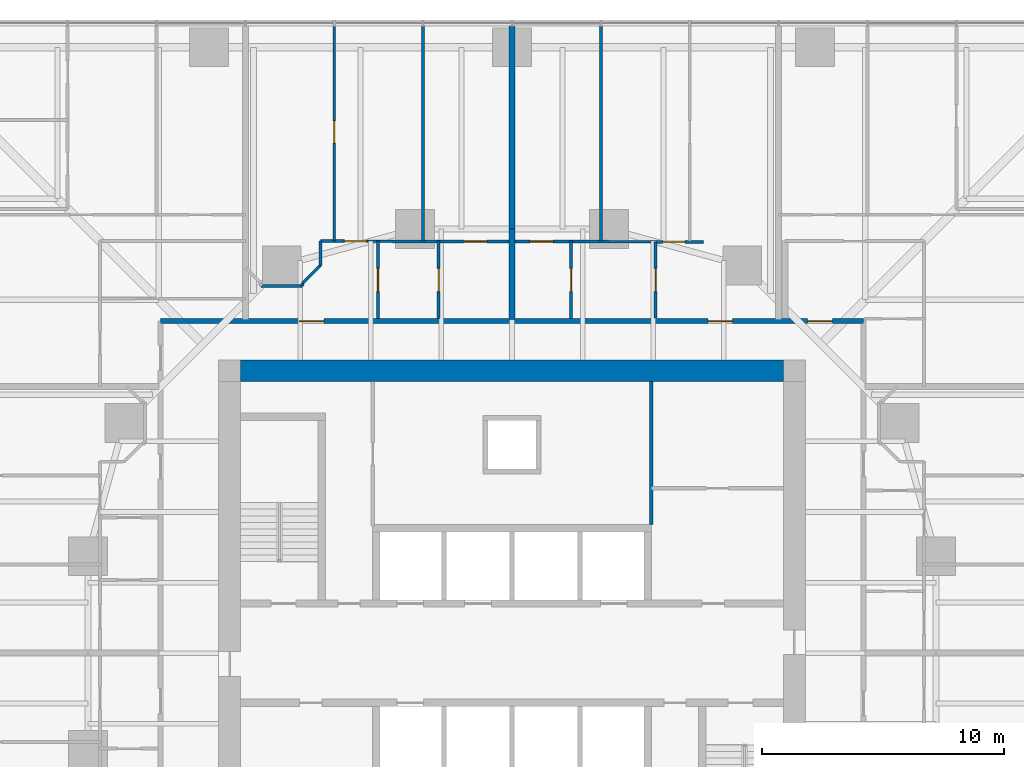
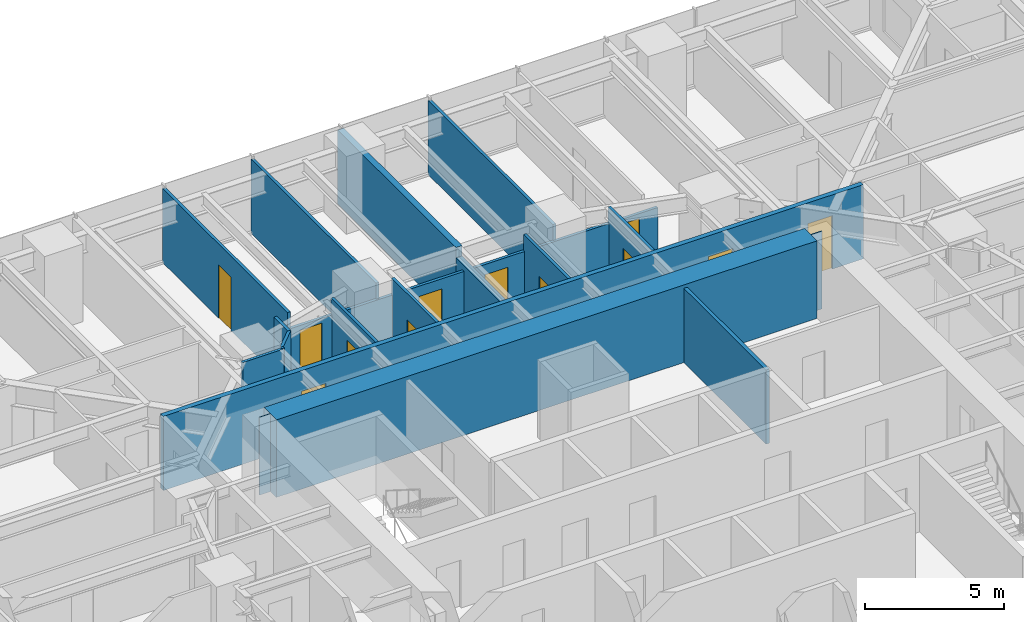
# One storey, part 13 of 17: 17 walls, 12 doors, 12 openings.
"""IFC4 building model written with IfcOpenShell, lengths in metres."""

import ifcopenshell
import ifcopenshell.guid

model = None  # the IFC model being written
_history = None  # IfcOwnerHistory: only IFC2X3 demands one
_inside = {}  # id of a spatial element -> (the spatial element, [elements in it])
_under = {}  # id of a project, library or spatial element -> (it, [spatial elements below it])
_declared = {}  # id of a project -> (the project, [libraries it declares])
_typed = {}  # id of a type object -> (the type object, [elements of that type])
_made_of = {}  # id of a material, layer set ... -> (it, [elements and type objects made of it])


def new_model(schema):
    """Start an empty IFC model of exactly this schema.

    Asked for "IFC4X3", IfcOpenShell would pick the latest addendum, in which some entities
    have other attributes; the version numbers below select the first issue.
    IFC2X3 requires an IfcOwnerHistory on every rooted entity: one is made here for all.
    """
    global model, _history
    if schema == "IFC4X3":
        model = ifcopenshell.file(schema_version=(4, 3, 0, 0))
    else:
        model = ifcopenshell.file(schema=schema)
    _inside.clear()
    _under.clear()
    _declared.clear()
    _typed.clear()
    _made_of.clear()
    _history = None
    if model.schema == "IFC2X3":
        org = make("IfcOrganization", Name="unknown")
        user = make(
            "IfcPersonAndOrganization",
            ThePerson=make("IfcPerson", FamilyName="unknown"),
            TheOrganization=org,
        )
        app = make(
            "IfcApplication",
            ApplicationDeveloper=org,
            Version="unknown",
            ApplicationFullName="unknown",
            ApplicationIdentifier="unknown",
        )
        _history = make(
            "IfcOwnerHistory",
            OwningUser=user,
            OwningApplication=app,
            ChangeAction="ADDED",
            CreationDate=0,
        )
    return model


def make(cls, **values):
    """One entity of the class cls with the attributes given. An attribute that is None is left unset."""
    return model.create_entity(
        cls, **{name: value for name, value in values.items() if value is not None}
    )


def rooted(cls, **values):
    """An entity with a GlobalId (a new one), such as an element, a storey or a relation."""
    return make(cls, GlobalId=ifcopenshell.guid.new(), OwnerHistory=_history, **values)


def si_unit(unit_type, name, prefix=None):
    """IfcSIUnit, for example si_unit("LENGTHUNIT", "METRE", prefix="MILLI")."""
    return make("IfcSIUnit", UnitType=unit_type, Prefix=prefix, Name=name)


def assignment(units):
    """IfcUnitAssignment: the units of a project."""
    return None if units is None else make("IfcUnitAssignment", Units=units)


def point(xyz):
    """IfcCartesianPoint."""
    return None if xyz is None else make("IfcCartesianPoint", Coordinates=xyz)


def direction(xyz):
    """IfcDirection."""
    return None if xyz is None else make("IfcDirection", DirectionRatios=xyz)


def frame(location, z_axis=None, x_axis=None):
    """IfcAxis2Placement3D, a coordinate frame: its origin and axes. An axis left out is left unset."""
    return make(
        "IfcAxis2Placement3D",
        Location=point(location),
        Axis=direction(z_axis),
        RefDirection=direction(x_axis),
    )


def frame_2d(location, x_axis=None):
    """IfcAxis2Placement2D, a coordinate frame in the plane: its origin and x axis."""
    return make(
        "IfcAxis2Placement2D", Location=point(location), RefDirection=direction(x_axis)
    )


def origin():
    """The frame at (0, 0, 0) with its axes left unset."""
    return frame((0.0, 0.0, 0.0))


def place(relative_to, where):
    """IfcLocalPlacement: puts the frame where relative to a parent placement (None: the world)."""
    return make(
        "IfcLocalPlacement", PlacementRelTo=relative_to, RelativePlacement=where
    )


def context(
    kind, dimensions, precision=None, world=None, true_north=None, identifier=None
):
    """IfcGeometricRepresentationContext, for example the 3D "Model" context."""
    return make(
        "IfcGeometricRepresentationContext",
        ContextIdentifier=identifier,
        ContextType=kind,
        CoordinateSpaceDimension=dimensions,
        Precision=precision,
        WorldCoordinateSystem=world,
        TrueNorth=true_north,
    )


def subcontext(parent, identifier, kind, view, scale=None):
    """IfcGeometricRepresentationSubContext, for example "Body" below "Model"."""
    return make(
        "IfcGeometricRepresentationSubContext",
        ContextIdentifier=identifier,
        ContextType=kind,
        ParentContext=parent,
        TargetScale=scale,
        TargetView=view,
    )


def project(units=None, contexts=None):
    """IfcProject with its units and contexts."""
    return rooted(
        "IfcProject",
        Name="project",
        RepresentationContexts=contexts,
        UnitsInContext=assignment(units),
    )


def spatial(cls, under=None, at=None, **own):
    """A site, building, storey or space (cls), placed at a placement, below another one or the project."""
    s = rooted(cls, ObjectPlacement=at, **own)
    if under is not None:
        _under.setdefault(under.id(), (under, []))[1].append(s)
    return s


def polyline(points):
    """IfcPolyline through the points."""
    return make("IfcPolyline", Points=[point(p) for p in points])


def profile(cls, at=None, kind="AREA", **sizes):
    """A parametric profile (cls). Its sizes go by their IFC names, for example OverallWidth=200.0."""
    return make(cls, ProfileType=kind, Position=at, **sizes)


def rectangle(**sizes):
    """IfcRectangleProfileDef."""
    return profile("IfcRectangleProfileDef", **sizes)


def outline(outer, holes=None, kind="AREA"):
    """IfcArbitraryClosedProfileDef: a profile drawn as a closed curve; with holes, ...WithVoids."""
    if holes is None:
        return make("IfcArbitraryClosedProfileDef", ProfileType=kind, OuterCurve=outer)
    return make(
        "IfcArbitraryProfileDefWithVoids",
        ProfileType=kind,
        OuterCurve=outer,
        InnerCurves=holes,
    )


def extrude(swept, where, along, depth):
    """IfcExtrudedAreaSolid: the profile swept, set in the frame where, extruded along a direction by depth."""
    return make(
        "IfcExtrudedAreaSolid",
        SweptArea=swept,
        Position=where,
        ExtrudedDirection=direction(along),
        Depth=depth,
    )


def shape(context_of_items, identifier, shape_type, items):
    """IfcShapeRepresentation: the items that make up one representation, for example the "Body"."""
    return make(
        "IfcShapeRepresentation",
        ContextOfItems=context_of_items,
        RepresentationIdentifier=identifier,
        RepresentationType=shape_type,
        Items=items,
    )


def material(Name=None, Category=None):
    """IfcMaterial."""
    return make("IfcMaterial", Name=Name, Category=Category)


def layer(
    of_material, thickness, ventilated=None, Name=None, Category=None, Priority=None
):
    """IfcMaterialLayer: one layer of a wall or slab, of a material (None: an air gap)."""
    return make(
        "IfcMaterialLayer",
        Material=of_material,
        LayerThickness=thickness,
        IsVentilated=ventilated,
        Name=Name,
        Category=Category,
        Priority=Priority,
    )


def layer_set(layers, Name=None):
    """IfcMaterialLayerSet."""
    return make("IfcMaterialLayerSet", MaterialLayers=layers, LayerSetName=Name)


def made_of(thing, what):
    """Note that an element or type object is made of a material, layer set ...; save() writes the relation."""
    if what is not None:
        _made_of.setdefault(what.id(), (what, []))[1].append(thing)
    return thing


def type_object(cls, material=None, **own):
    """A type object (cls), such as IfcWallType, which elements share."""
    return made_of(rooted(cls, **own), material)


def element(
    cls,
    number,
    at=None,
    inside=None,
    cuts=None,
    type_object=None,
    material=None,
    context=None,
    identifier="Body",
    shape_type=None,
    held_by="IfcProductDefinitionShape",
    body=None,
    shapes=None,
    **own,
):
    """One element of the class cls, such as IfcWall. Its Tag is "e" and its number.

    at: its placement. inside: the storey or other place that contains it. cuts: it is an
    opening in that element (IfcRelVoidsElement). A single representation is given by context,
    identifier, shape_type and body (its items); several are given by shapes. held_by: the class
    of the entity that holds the representations. save() writes the other relations.
    """
    e = rooted(cls, Tag="e%d" % number, ObjectPlacement=at, **own)
    if body is not None:
        shapes = [shape(context, identifier, shape_type, body)]
    if shapes is not None:
        e.Representation = make(held_by, Representations=shapes)
    if inside is not None:
        _inside.setdefault(inside.id(), (inside, []))[1].append(e)
    if cuts is not None:
        rooted(
            "IfcRelVoidsElement", RelatingBuildingElement=cuts, RelatedOpeningElement=e
        )
    if type_object is not None:
        _typed.setdefault(type_object.id(), (type_object, []))[1].append(e)
    return made_of(e, material)


def fill(opening, filler):
    """IfcRelFillsElement: the door or window that sits in an opening."""
    return rooted(
        "IfcRelFillsElement",
        RelatingOpeningElement=opening,
        RelatedBuildingElement=filler,
    )


def aggregate(whole, parts):
    """IfcRelAggregates: a whole, such as a stair, and the parts it consists of."""
    return rooted("IfcRelAggregates", RelatingObject=whole, RelatedObjects=parts)


def save(model, path):
    """Write the relations noted so far, then the file.

    IfcRelAggregates (storeys below a building ...), IfcRelContainedInSpatialStructure (elements
    in a storey), IfcRelDefinesByType, IfcRelAssociatesMaterial and IfcRelDeclares: one each for
    every whole, place, type object, material and project.
    """
    for whole, parts in _under.values():
        aggregate(whole, parts)
    for where, things in _inside.values():
        rooted(
            "IfcRelContainedInSpatialStructure",
            RelatedElements=things,
            RelatingStructure=where,
        )
    for kind, things in _typed.values():
        rooted("IfcRelDefinesByType", RelatedObjects=things, RelatingType=kind)
    for what, things in _made_of.values():
        rooted("IfcRelAssociatesMaterial", RelatedObjects=things, RelatingMaterial=what)
    for by, libraries in _declared.values():
        rooted("IfcRelDeclares", RelatingContext=by, RelatedDefinitions=libraries)
    model.write(path)


model = new_model("IFC4")

# Units and contexts
model_context = context("Model", 3, precision=1e-05, world=origin(), true_north=direction((0.0, 1.0)))
body_context = subcontext(model_context, "Body", "Model", "MODEL_VIEW")
ifc_project = project(units=[si_unit("LENGTHUNIT", "METRE"), si_unit("AREAUNIT", "SQUARE_METRE"), si_unit("VOLUMEUNIT", "CUBIC_METRE"), si_unit("PLANEANGLEUNIT", "RADIAN"), si_unit("MASSUNIT", "GRAM", prefix="KILO")], contexts=[model_context])

# Site, building, storey
site_placement = place(None, origin())
site = spatial("IfcSite", under=ifc_project, at=site_placement, CompositionType="ELEMENT")
building_placement = place(site_placement, origin())
building = spatial("IfcBuilding", under=site, at=building_placement, Name="Torsade Residences", CompositionType="ELEMENT")
storey_placement = place(building_placement, frame((0.0, 0.0, 18.39990234375)))
storey = spatial("IfcBuildingStorey", under=building, at=storey_placement, Name="L04", CompositionType="ELEMENT", Elevation=18.39990234375)

# Wall
ifc_material_1 = material(Name="Concrete 80 MPa", Category="concrete")
ifc_layer_1 = layer(ifc_material_1, 0.89990234375)
ifc_layer_set_1 = layer_set([ifc_layer_1], Name="Concrete 80 MPa")
wall_type_1 = type_object("IfcWallType", Name="CORE WALL 900", PredefinedType="SHEAR", material=ifc_layer_set_1)
wall_1_placement = place(storey_placement, frame((28.800048828125, 41.64990234375, 0.0), z_axis=(0.0, 0.0, 1.0), x_axis=(1.0, 0.0, 0.0)))
element("IfcWall", 1, at=wall_1_placement, inside=storey, type_object=wall_type_1, Name="Core wall N L04", PredefinedType="SHEAR", context=body_context, shape_type="SweptSolid", body=[
    extrude(outline(polyline([(0.0, -0.449951171875), (22.39990234375, -0.449951171875), (22.39990234375, -0.02490234375), (22.849853515625, -0.02490234375), (22.849853515625, 0.02490234375), (22.39990234375, 0.02490234375), (22.39990234375, 0.449951171875), (0.0, 0.449951171875), (0.0, 0.02490234375), (-0.449951171875, 0.02490234375), (-0.449951171875, -0.02490234375), (0.0, -0.02490234375), (0.0, -0.449951171875)])), origin(), (0.0, 0.0, 1.0), 3.400146484375),
])

# Wall, openings, doors
ifc_material_2 = material(Name="Plasterboard on steel stud", Category="steel")
ifc_layer_2 = layer(ifc_material_2, 0.199951171875)
ifc_layer_set_2 = layer_set([ifc_layer_2], Name="Plasterboard on steel stud")
wall_type_2 = type_object("IfcWallType", Name="CORRIDOR WALL 200", PredefinedType="PARTITIONING", material=ifc_layer_set_2)
wall_2_placement = place(storey_placement, frame((54.5, 43.699951171875, 0.0), z_axis=(0.0, 0.0, 1.0), x_axis=(-1.0, 0.0, 0.0)))
wall_2 = element("IfcWall", 2, at=wall_2_placement, inside=storey, type_object=wall_type_2, Name="Corridor wall L04", PredefinedType="PARTITIONING", context=body_context, shape_type="SweptSolid", body=[
    extrude(rectangle(XDim=29.0, YDim=0.199951171875, at=frame_2d((14.5, 0.0))), origin(), (0.0, 0.0, 1.0), 3.25),
])
opening_1_placement = place(wall_2_placement, frame((22.25341796875, 0.0, 0.0)))
opening_1 = element("IfcOpeningElement", 3, at=opening_1_placement, cuts=wall_2, Name="Opening D01", PredefinedType="OPENING", context=body_context, shape_type="SweptSolid", body=[
    extrude(rectangle(XDim=1.02001953125, YDim=2.340087890625, at=frame_2d((0.510009765625, 1.169921875))), frame((0.0, 0.10986328125, 0.0), z_axis=(0.0, -1.0, 0.0), x_axis=(1.0, 0.0, 0.0)), (0.0, 0.0, 1.0), 0.219970703125),
])
opening_2_placement = place(wall_2_placement, frame((5.39306640625, 0.0, 0.0)))
opening_2 = element("IfcOpeningElement", 4, at=opening_2_placement, cuts=wall_2, Name="Opening D01", PredefinedType="OPENING", context=body_context, shape_type="SweptSolid", body=[
    extrude(rectangle(XDim=1.02001953125, YDim=2.340087890625, at=frame_2d((0.510009765625, 1.169921875))), frame((0.0, 0.10986328125, 0.0), z_axis=(0.0, -1.0, 0.0), x_axis=(1.0, 0.0, 0.0)), (0.0, 0.0, 1.0), 0.219970703125),
])
opening_3_placement = place(wall_2_placement, frame((1.28125, 0.0, 0.0)))
opening_3 = element("IfcOpeningElement", 5, at=opening_3_placement, cuts=wall_2, Name="Opening D01", PredefinedType="OPENING", context=body_context, shape_type="SweptSolid", body=[
    extrude(rectangle(XDim=1.02001953125, YDim=2.340087890625, at=frame_2d((0.510009765625, 1.169921875))), frame((0.0, 0.10986328125, 0.0), z_axis=(0.0, -1.0, 0.0), x_axis=(1.0, 0.0, 0.0)), (0.0, 0.0, 1.0), 0.219970703125),
])
ifc_material_3 = material(Name="Solid-core timber fire door", Category="wood")
door_type_1 = type_object("IfcDoorType", Name="APARTMENT ENTRY DOOR 1020x2340", OperationType="NOTDEFINED", PredefinedType="DOOR", material=ifc_material_3)
door_1_placement = place(opening_1_placement, origin())
door_1 = element("IfcDoor", 6, at=door_1_placement, inside=storey, type_object=door_type_1, Name="Door Residential corridor to Kitchen and dining", OperationType="SINGLE_SWING_LEFT", OverallHeight=2.340087890625, OverallWidth=1.02001953125, PredefinedType="DOOR", context=body_context, shape_type="SweptSolid", body=[
    extrude(rectangle(XDim=1.02001953125, YDim=2.340087890625, at=frame_2d((0.510009765625, 1.169921875))), frame((0.0, 0.02490234375, 0.0), z_axis=(0.0, -1.0, 0.0), x_axis=(1.0, 0.0, 0.0)), (0.0, 0.0, 1.0), 0.050048828125),
])
fill(opening_1, door_1)
door_2_placement = place(opening_2_placement, origin())
door_2 = element("IfcDoor", 7, at=door_2_placement, inside=storey, type_object=door_type_1, Name="Door Residential corridor to Kitchen and dining", OperationType="SINGLE_SWING_LEFT", OverallHeight=2.340087890625, OverallWidth=1.02001953125, PredefinedType="DOOR", context=body_context, shape_type="SweptSolid", body=[
    extrude(rectangle(XDim=1.02001953125, YDim=2.340087890625, at=frame_2d((0.510009765625, 1.169921875))), frame((0.0, 0.02490234375, 0.0), z_axis=(0.0, -1.0, 0.0), x_axis=(1.0, 0.0, 0.0)), (0.0, 0.0, 1.0), 0.050048828125),
])
fill(opening_2, door_2)
door_3_placement = place(opening_3_placement, origin())
door_3 = element("IfcDoor", 8, at=door_3_placement, inside=storey, type_object=door_type_1, Name="Door Residential corridor to Kitchen and dining", OperationType="SINGLE_SWING_LEFT", OverallHeight=2.340087890625, OverallWidth=1.02001953125, PredefinedType="DOOR", context=body_context, shape_type="SweptSolid", body=[
    extrude(rectangle(XDim=1.02001953125, YDim=2.340087890625, at=frame_2d((0.510009765625, 1.169921875))), frame((0.0, 0.02490234375, 0.0), z_axis=(0.0, -1.0, 0.0), x_axis=(1.0, 0.0, 0.0)), (0.0, 0.0, 1.0), 0.050048828125),
])
fill(opening_3, door_3)

# Wall, opening, door
ifc_material_4 = material(Name="Plasterboard on steel stud", Category="steel")
ifc_layer_3 = layer(ifc_material_4, 0.1201171875)
ifc_layer_set_3 = layer_set([ifc_layer_3], Name="Plasterboard on steel stud")
wall_type_3 = type_object("IfcWallType", Name="PARTITION 120", PredefinedType="PARTITIONING", material=ifc_layer_set_3)
wall_3_placement = place(storey_placement, frame((45.92626953125, 43.830078125, 0.0), z_axis=(0.0, 0.0, 1.0), x_axis=(0.0, 1.0, 0.0)))
wall_3 = element("IfcWall", 9, at=wall_3_placement, inside=storey, type_object=wall_type_3, Name="Partition L04", PredefinedType="PARTITIONING", context=body_context, shape_type="SweptSolid", body=[
    extrude(rectangle(XDim=3.139892578125, YDim=0.1201171875, at=frame_2d((1.56982421875, 0.0))), origin(), (0.0, 0.0, 1.0), 3.25),
])
opening_4_placement = place(wall_3_placement, frame((1.090087890625, 0.0, 0.0)))
opening_4 = element("IfcOpeningElement", 10, at=opening_4_placement, cuts=wall_3, Name="Opening D05", PredefinedType="OPENING", context=body_context, shape_type="SweptSolid", body=[
    extrude(rectangle(XDim=0.9599609375, YDim=2.10009765625, at=frame_2d((0.47998046875, 1.050048828125))), frame((0.0, 0.070068359375, 0.0), z_axis=(0.0, -1.0, 0.0), x_axis=(1.0, 0.0, 0.0)), (0.0, 0.0, 1.0), 0.14013671875),
])
ifc_material_5 = material(Name="Hollow-core timber door in a steel cavity frame", Category="steel")
door_type_2 = type_object("IfcDoorType", Name="BATHROOM CAVITY SLIDING DOOR 960", OperationType="SLIDING_TO_LEFT", PredefinedType="DOOR", material=ifc_material_5)
door_4_placement = place(opening_4_placement, origin())
door_4 = element("IfcDoor", 11, at=door_4_placement, inside=storey, type_object=door_type_2, Name="Door Kitchen and dining to Bathroom", OperationType="SLIDING_TO_LEFT", OverallHeight=2.10009765625, OverallWidth=0.9599609375, PredefinedType="DOOR", context=body_context, shape_type="SweptSolid", body=[
    extrude(rectangle(XDim=0.9599609375, YDim=2.10009765625, at=frame_2d((0.47998046875, 1.050048828125))), frame((0.0, 0.02490234375, 0.0), z_axis=(0.0, -1.0, 0.0), x_axis=(1.0, 0.0, 0.0)), (0.0, 0.0, 1.0), 0.050048828125),
])
fill(opening_4, door_4)

# Wall, openings, doors
wall_4_placement = place(storey_placement, frame((32.10009765625, 47.0, 0.0), z_axis=(0.0, 0.0, 1.0), x_axis=(0.999998193842, -0.001900608472, 0.0)))
wall_4 = element("IfcWall", 12, at=wall_4_placement, inside=storey, type_object=wall_type_3, Name="Partition L04", PredefinedType="PARTITIONING", context=body_context, shape_type="SweptSolid", body=[
    extrude(rectangle(XDim=15.7998046875, YDim=0.1201171875, at=frame_2d((7.89990234375, 0.0))), origin(), (0.0, 0.0, 1.0), 2.550048828125),
])
opening_5_placement = place(wall_4_placement, frame((0.985107421875, 0.0, 0.0)))
opening_5 = element("IfcOpeningElement", 13, at=opening_5_placement, cuts=wall_4, Name="Opening D02", PredefinedType="OPENING", context=body_context, shape_type="SweptSolid", body=[
    extrude(rectangle(XDim=0.919921875, YDim=2.340087890625, at=frame_2d((0.4599609375, 1.169921875))), frame((0.0, 0.070068359375, 0.0), z_axis=(0.0, -1.0, 0.0), x_axis=(1.0, 0.0, 0.0)), (0.0, 0.0, 1.0), 0.14013671875),
])
opening_6_placement = place(wall_4_placement, frame((14.10986328125, 0.0, 0.0)))
opening_6 = element("IfcOpeningElement", 14, at=opening_6_placement, cuts=wall_4, Name="Opening D02", PredefinedType="OPENING", context=body_context, shape_type="SweptSolid", body=[
    extrude(rectangle(XDim=0.919921875, YDim=2.340087890625, at=frame_2d((0.4599609375, 1.169921875))), frame((0.0, 0.070068359375, 0.0), z_axis=(0.0, -1.0, 0.0), x_axis=(1.0, 0.0, 0.0)), (0.0, 0.0, 1.0), 0.14013671875),
])
opening_7_placement = place(wall_4_placement, frame((5.906982421875, 0.0, 0.0)))
opening_7 = element("IfcOpeningElement", 15, at=opening_7_placement, cuts=wall_4, Name="Opening D05", PredefinedType="OPENING", context=body_context, shape_type="SweptSolid", body=[
    extrude(rectangle(XDim=0.9599609375, YDim=2.10009765625, at=frame_2d((0.47998046875, 1.050048828125))), frame((0.0, 0.070068359375, 0.0), z_axis=(0.0, -1.0, 0.0), x_axis=(1.0, 0.0, 0.0)), (0.0, 0.0, 1.0), 0.14013671875),
])
opening_8_placement = place(wall_4_placement, frame((8.639892578125, 0.0, 0.0)))
opening_8 = element("IfcOpeningElement", 16, at=opening_8_placement, cuts=wall_4, Name="Opening D05", PredefinedType="OPENING", context=body_context, shape_type="SweptSolid", body=[
    extrude(rectangle(XDim=0.9599609375, YDim=2.10009765625, at=frame_2d((0.47998046875, 1.050048828125))), frame((0.0, 0.070068359375, 0.0), z_axis=(0.0, -1.0, 0.0), x_axis=(1.0, 0.0, 0.0)), (0.0, 0.0, 1.0), 0.14013671875),
])
door_5_placement = place(opening_7_placement, origin())
door_5 = element("IfcDoor", 17, at=door_5_placement, inside=storey, type_object=door_type_2, Name="Door Bathroom to Living room", OperationType="SLIDING_TO_LEFT", OverallHeight=2.10009765625, OverallWidth=0.9599609375, PredefinedType="DOOR", context=body_context, shape_type="SweptSolid", body=[
    extrude(rectangle(XDim=0.9599609375, YDim=2.10009765625, at=frame_2d((0.47998046875, 1.050048828125))), frame((0.0, 0.02490234375, 0.0), z_axis=(0.0, -1.0, 0.0), x_axis=(1.0, 0.0, 0.0)), (0.0, 0.0, 1.0), 0.050048828125),
])
fill(opening_7, door_5)
door_6_placement = place(opening_8_placement, origin())
door_6 = element("IfcDoor", 18, at=door_6_placement, inside=storey, type_object=door_type_2, Name="Door Ensuite to Bedroom 1", OperationType="SLIDING_TO_LEFT", OverallHeight=2.10009765625, OverallWidth=0.9599609375, PredefinedType="DOOR", context=body_context, shape_type="SweptSolid", body=[
    extrude(rectangle(XDim=0.9599609375, YDim=2.10009765625, at=frame_2d((0.47998046875, 1.050048828125))), frame((0.0, 0.02490234375, 0.0), z_axis=(0.0, -1.0, 0.0), x_axis=(1.0, 0.0, 0.0)), (0.0, 0.0, 1.0), 0.050048828125),
])
fill(opening_8, door_6)
ifc_material_6 = material(Name="Hollow-core timber door", Category="wood")
door_type_3 = type_object("IfcDoorType", Name="INTERNAL DOOR 920x2340", OperationType="NOTDEFINED", PredefinedType="DOOR", material=ifc_material_6)
door_7_placement = place(opening_5_placement, origin())
door_7 = element("IfcDoor", 19, at=door_7_placement, inside=storey, type_object=door_type_3, Name="Door Kitchen and dining to Bedroom 2", OperationType="SINGLE_SWING_LEFT", OverallHeight=2.340087890625, OverallWidth=0.919921875, PredefinedType="DOOR", context=body_context, shape_type="SweptSolid", body=[
    extrude(rectangle(XDim=0.919921875, YDim=2.340087890625, at=frame_2d((0.4599609375, 1.169921875))), frame((0.0, 0.02490234375, 0.0), z_axis=(0.0, -1.0, 0.0), x_axis=(1.0, 0.0, 0.0)), (0.0, 0.0, 1.0), 0.050048828125),
])
fill(opening_5, door_7)
door_8_placement = place(opening_6_placement, origin())
door_8 = element("IfcDoor", 20, at=door_8_placement, inside=storey, type_object=door_type_3, Name="Door Kitchen and dining to Bedroom 2", OperationType="SINGLE_SWING_RIGHT", OverallHeight=2.340087890625, OverallWidth=0.919921875, PredefinedType="DOOR", context=body_context, shape_type="SweptSolid", body=[
    extrude(rectangle(XDim=0.919921875, YDim=2.340087890625, at=frame_2d((0.4599609375, 1.169921875))), frame((0.0, 0.02490234375, 0.0), z_axis=(0.0, -1.0, 0.0), x_axis=(1.0, 0.0, 0.0)), (0.0, 0.0, 1.0), 0.050048828125),
])
fill(opening_6, door_8)

# Wall, opening, door
wall_5_placement = place(storey_placement, frame((42.439697265625, 43.800048828125, 0.0), z_axis=(0.0, 0.0, 1.0), x_axis=(0.0, 1.0, 0.0)))
wall_5 = element("IfcWall", 21, at=wall_5_placement, inside=storey, type_object=wall_type_3, Name="Partition L04", PredefinedType="PARTITIONING", context=body_context, shape_type="SweptSolid", body=[
    extrude(rectangle(XDim=3.199951171875, YDim=0.1201171875, at=frame_2d((1.60009765625, 0.0))), origin(), (0.0, 0.0, 1.0), 3.25),
])
opening_9_placement = place(wall_5_placement, frame((1.1201171875, 0.0, 0.0)))
opening_9 = element("IfcOpeningElement", 22, at=opening_9_placement, cuts=wall_5, Name="Opening D05", PredefinedType="OPENING", context=body_context, shape_type="SweptSolid", body=[
    extrude(rectangle(XDim=0.9599609375, YDim=2.10009765625, at=frame_2d((0.47998046875, 1.050048828125))), frame((0.0, 0.070068359375, 0.0), z_axis=(0.0, -1.0, 0.0), x_axis=(1.0, 0.0, 0.0)), (0.0, 0.0, 1.0), 0.14013671875),
])
door_9_placement = place(opening_9_placement, origin())
door_9 = element("IfcDoor", 23, at=door_9_placement, inside=storey, type_object=door_type_2, Name="Door Bathroom to Ensuite", OperationType="SLIDING_TO_LEFT", OverallHeight=2.10009765625, OverallWidth=0.9599609375, PredefinedType="DOOR", context=body_context, shape_type="SweptSolid", body=[
    extrude(rectangle(XDim=0.9599609375, YDim=2.10009765625, at=frame_2d((0.47998046875, 1.050048828125))), frame((0.0, 0.02490234375, 0.0), z_axis=(0.0, -1.0, 0.0), x_axis=(1.0, 0.0, 0.0)), (0.0, 0.0, 1.0), 0.050048828125),
])
fill(opening_9, door_9)

# Wall
wall_6_placement = place(storey_placement, frame((43.666748046875, 55.9599609375, 0.0), z_axis=(0.0, 0.0, 1.0), x_axis=(0.0, -1.0, 0.0)))
element("IfcWall", 24, at=wall_6_placement, inside=storey, type_object=wall_type_3, Name="Partition L04", PredefinedType="PARTITIONING", context=body_context, shape_type="SweptSolid", body=[
    extrude(rectangle(XDim=8.9599609375, YDim=0.1201171875, at=frame_2d((4.47998046875, 0.0))), origin(), (0.0, 0.0, 1.0), 3.25),
])

# Wall, opening, door
wall_7_placement = place(storey_placement, frame((34.473388671875, 47.0, 0.0), z_axis=(0.0, 0.0, 1.0), x_axis=(0.0, -1.0, 0.0)))
wall_7 = element("IfcWall", 25, at=wall_7_placement, inside=storey, type_object=wall_type_3, Name="Partition L04", PredefinedType="PARTITIONING", context=body_context, shape_type="SweptSolid", body=[
    extrude(rectangle(XDim=3.199951171875, YDim=0.1201171875, at=frame_2d((1.60009765625, 0.0))), origin(), (0.0, 0.0, 1.0), 3.25),
])
opening_10_placement = place(wall_7_placement, frame((1.1201171875, 0.0, 0.0)))
opening_10 = element("IfcOpeningElement", 26, at=opening_10_placement, cuts=wall_7, Name="Opening D05", PredefinedType="OPENING", context=body_context, shape_type="SweptSolid", body=[
    extrude(rectangle(XDim=0.9599609375, YDim=2.10009765625, at=frame_2d((0.47998046875, 1.050048828125))), frame((0.0, 0.070068359375, 0.0), z_axis=(0.0, -1.0, 0.0), x_axis=(1.0, 0.0, 0.0)), (0.0, 0.0, 1.0), 0.14013671875),
])
door_10_placement = place(opening_10_placement, origin())
door_10 = element("IfcDoor", 27, at=door_10_placement, inside=storey, type_object=door_type_2, Name="Door Kitchen and dining to Ensuite", OperationType="SLIDING_TO_LEFT", OverallHeight=2.10009765625, OverallWidth=0.9599609375, PredefinedType="DOOR", context=body_context, shape_type="SweptSolid", body=[
    extrude(rectangle(XDim=0.9599609375, YDim=2.10009765625, at=frame_2d((0.47998046875, 1.050048828125))), frame((0.0, 0.02490234375, 0.0), z_axis=(0.0, -1.0, 0.0), x_axis=(1.0, 0.0, 0.0)), (0.0, 0.0, 1.0), 0.050048828125),
])
fill(opening_10, door_10)

# Walls
wall_8_placement = place(storey_placement, frame((29.64990234375, 45.14990234375, 0.0), z_axis=(0.0, 0.0, 1.0), x_axis=(1.0, 0.0, 0.0)))
element("IfcWall", 28, at=wall_8_placement, inside=storey, type_object=wall_type_3, Name="Partition L04", PredefinedType="PARTITIONING", context=body_context, shape_type="SweptSolid", body=[
    extrude(rectangle(XDim=1.7001953125, YDim=0.1201171875, at=frame_2d((0.85009765625, 0.0))), origin(), (0.0, 0.0, 1.0), 3.25),
])
wall_9_placement = place(storey_placement, frame((31.35009765625, 45.25, 0.0), z_axis=(0.0, 0.0, 1.0), x_axis=(0.707106781187, 0.707106781187, 0.0)))
element("IfcWall", 29, at=wall_9_placement, inside=storey, type_object=wall_type_3, Name="Partition L04", PredefinedType="PARTITIONING", context=body_context, shape_type="SweptSolid", body=[
    extrude(rectangle(XDim=1.060546875, YDim=0.1201171875, at=frame_2d((0.5302734375, 0.0))), origin(), (0.0, 0.0, 1.0), 3.25),
])
wall_10_placement = place(storey_placement, frame((32.10009765625, 46.0, 0.0), z_axis=(0.0, 0.0, 1.0), x_axis=(0.0, 1.0, 0.0)))
element("IfcWall", 30, at=wall_10_placement, inside=storey, type_object=wall_type_3, Name="Partition L04", PredefinedType="PARTITIONING", context=body_context, shape_type="SweptSolid", body=[
    extrude(rectangle(XDim=1.0, YDim=0.1201171875, at=frame_2d((0.5, 0.0))), origin(), (0.0, 0.0, 1.0), 3.25),
])

# Wall, opening, door
wall_11_placement = place(storey_placement, frame((36.97412109375, 43.800048828125, 0.0), z_axis=(0.0, 0.0, 1.0), x_axis=(0.0, 1.0, 0.0)))
wall_11 = element("IfcWall", 31, at=wall_11_placement, inside=storey, type_object=wall_type_3, Name="Partition L04", PredefinedType="PARTITIONING", context=body_context, shape_type="SweptSolid", body=[
    extrude(rectangle(XDim=3.199951171875, YDim=0.1201171875, at=frame_2d((1.60009765625, 0.0))), origin(), (0.0, 0.0, 1.0), 3.25),
])
opening_11_placement = place(wall_11_placement, frame((1.1201171875, 0.0, 0.0)))
opening_11 = element("IfcOpeningElement", 32, at=opening_11_placement, cuts=wall_11, Name="Opening D05", PredefinedType="OPENING", context=body_context, shape_type="SweptSolid", body=[
    extrude(rectangle(XDim=0.9599609375, YDim=2.10009765625, at=frame_2d((0.47998046875, 1.050048828125))), frame((0.0, 0.070068359375, 0.0), z_axis=(0.0, -1.0, 0.0), x_axis=(1.0, 0.0, 0.0)), (0.0, 0.0, 1.0), 0.14013671875),
])
door_11_placement = place(opening_11_placement, origin())
door_11 = element("IfcDoor", 33, at=door_11_placement, inside=storey, type_object=door_type_2, Name="Door Ensuite to Bathroom", OperationType="SLIDING_TO_LEFT", OverallHeight=2.10009765625, OverallWidth=0.9599609375, PredefinedType="DOOR", context=body_context, shape_type="SweptSolid", body=[
    extrude(rectangle(XDim=0.9599609375, YDim=2.10009765625, at=frame_2d((0.47998046875, 1.050048828125))), frame((0.0, 0.02490234375, 0.0), z_axis=(0.0, -1.0, 0.0), x_axis=(1.0, 0.0, 0.0)), (0.0, 0.0, 1.0), 0.050048828125),
])
fill(opening_11, door_11)

# Wall
wall_12_placement = place(storey_placement, frame((36.333251953125, 47.0, 0.0), z_axis=(0.0, 0.0, 1.0), x_axis=(0.0, 1.0, 0.0)))
element("IfcWall", 34, at=wall_12_placement, inside=storey, type_object=wall_type_3, Name="Partition L04", PredefinedType="PARTITIONING", context=body_context, shape_type="SweptSolid", body=[
    extrude(rectangle(XDim=8.9599609375, YDim=0.1201171875, at=frame_2d((4.47998046875, 0.0))), origin(), (0.0, 0.0, 1.0), 3.25),
])

# Wall, opening, door
wall_13_placement = place(storey_placement, frame((32.666748046875, 55.9599609375, 0.0), z_axis=(0.0, 0.0, 1.0), x_axis=(0.0, -1.0, 0.0)))
wall_13 = element("IfcWall", 35, at=wall_13_placement, inside=storey, type_object=wall_type_3, Name="Partition L04", PredefinedType="PARTITIONING", context=body_context, shape_type="SweptSolid", body=[
    extrude(rectangle(XDim=8.9599609375, YDim=0.1201171875, at=frame_2d((4.47998046875, 0.0))), origin(), (0.0, 0.0, 1.0), 3.25),
])
opening_12_placement = place(wall_13_placement, frame((4.0, 0.0, 0.0)))
opening_12 = element("IfcOpeningElement", 36, at=opening_12_placement, cuts=wall_13, Name="Opening D02", PredefinedType="OPENING", context=body_context, shape_type="SweptSolid", body=[
    extrude(rectangle(XDim=0.919921875, YDim=2.340087890625, at=frame_2d((0.4599609375, 1.169921875))), frame((0.0, 0.070068359375, 0.0), z_axis=(0.0, -1.0, 0.0), x_axis=(1.0, 0.0, 0.0)), (0.0, 0.0, 1.0), 0.14013671875),
])
door_12_placement = place(opening_12_placement, origin())
door_12 = element("IfcDoor", 37, at=door_12_placement, inside=storey, type_object=door_type_3, Name="Door Bedroom 2 to Bedroom 1", OperationType="SINGLE_SWING_RIGHT", OverallHeight=2.340087890625, OverallWidth=0.919921875, PredefinedType="DOOR", context=body_context, shape_type="SweptSolid", body=[
    extrude(rectangle(XDim=0.919921875, YDim=2.340087890625, at=frame_2d((0.4599609375, 1.169921875))), frame((0.0, 0.02490234375, 0.0), z_axis=(0.0, -1.0, 0.0), x_axis=(1.0, 0.0, 0.0)), (0.0, 0.0, 1.0), 0.050048828125),
])
fill(opening_12, door_12)

# Walls
wall_14_placement = place(storey_placement, frame((31.35009765625, 45.14990234375, 0.0), z_axis=(0.0, 0.0, 1.0), x_axis=(0.0, 1.0, 0.0)))
element("IfcWall", 38, at=wall_14_placement, inside=storey, type_object=wall_type_3, Name="Partition L04", PredefinedType="PARTITIONING", context=body_context, shape_type="SweptSolid", body=[
    extrude(rectangle(XDim=0.10009765625, YDim=0.1201171875, at=frame_2d((0.050048828125, 0.0))), origin(), (0.0, 0.0, 1.0), 3.25),
])
ifc_material_7 = material(Name="Masonry-lined stud party wall", Category="masonry")
ifc_layer_4 = layer(ifc_material_7, 0.25)
ifc_layer_set_4 = layer_set([ifc_layer_4], Name="Masonry-lined stud party wall")
wall_type_4 = type_object("IfcWallType", Name="PARTY WALL 250", PredefinedType="PARTITIONING", material=ifc_layer_set_4)
wall_15_placement = place(storey_placement, frame((40.0, 56.0, 0.0), z_axis=(0.0, 0.0, 1.0), x_axis=(0.0, -1.0, 0.0)))
element("IfcWall", 39, at=wall_15_placement, inside=storey, type_object=wall_type_4, Name="Party wall L04", PredefinedType="PARTITIONING", context=body_context, shape_type="SweptSolid", body=[
    extrude(rectangle(XDim=8.5, YDim=0.25, at=frame_2d((4.25, 0.0))), origin(), (0.0, 0.0, 1.0), 3.25),
])
wall_16_placement = place(storey_placement, frame((40.0, 47.5, 0.0), z_axis=(0.0, 0.0, 1.0), x_axis=(0.0, -1.0, 0.0)))
element("IfcWall", 40, at=wall_16_placement, inside=storey, type_object=wall_type_4, Name="Party wall L04", PredefinedType="PARTITIONING", context=body_context, shape_type="SweptSolid", body=[
    extrude(rectangle(XDim=3.739990234375, YDim=0.25, at=frame_2d((1.8701171875, 0.0))), origin(), (0.0, 0.0, 1.0), 2.795166015625),
])
ifc_material_8 = material(Name="Reinforced blockwork", Category="masonry")
ifc_layer_5 = layer(ifc_material_8, 0.14990234375)
ifc_layer_set_5 = layer_set([ifc_layer_5], Name="Reinforced blockwork")
wall_type_5 = type_object("IfcWallType", Name="SERVICE ROOM WALL 150", PredefinedType="SOLIDWALL", material=ifc_layer_set_5)
wall_17_placement = place(storey_placement, frame((45.75, 41.199951171875, 0.0), z_axis=(0.0, 0.0, 1.0), x_axis=(0.0, -1.0, 0.0)))
element("IfcWall", 41, at=wall_17_placement, inside=storey, type_object=wall_type_5, Name="Service room wall L04", PredefinedType="SOLIDWALL", context=body_context, shape_type="SweptSolid", body=[
    extrude(rectangle(XDim=5.89990234375, YDim=0.14990234375, at=frame_2d((2.949951171875, 0.0))), origin(), (0.0, 0.0, 1.0), 3.25),
])

save(model, "model.ifc")
